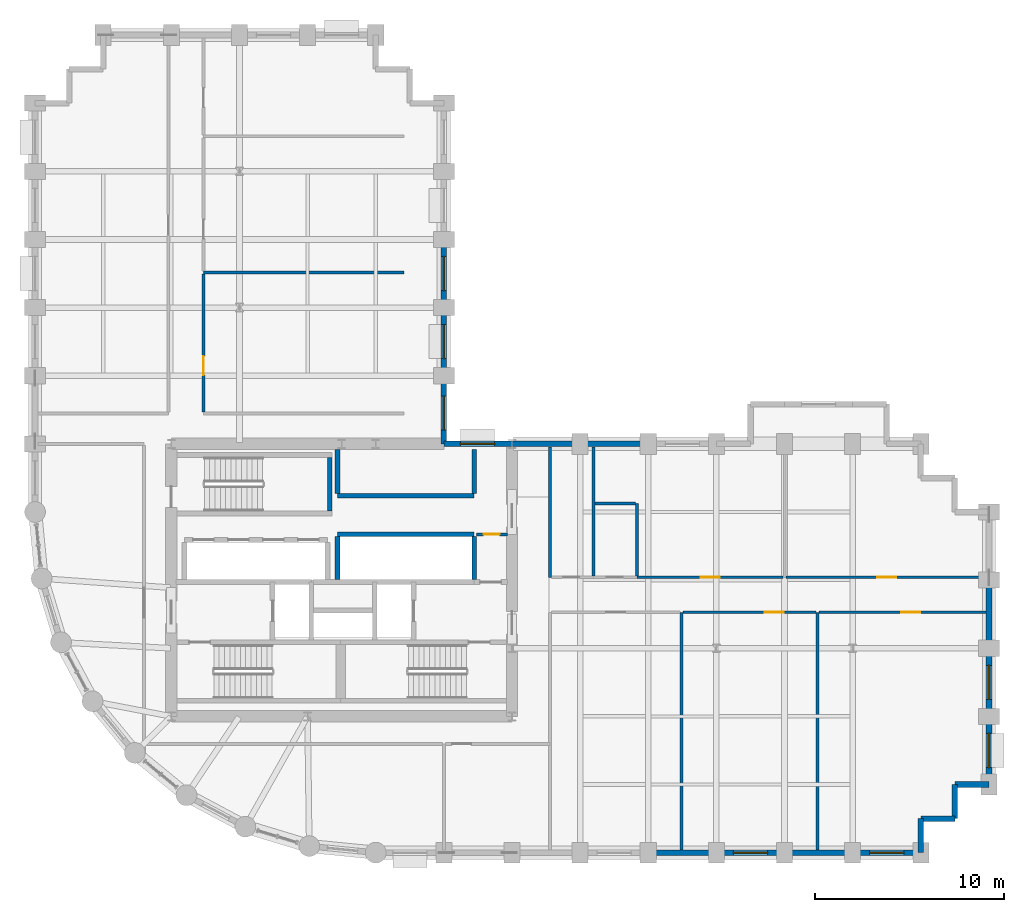
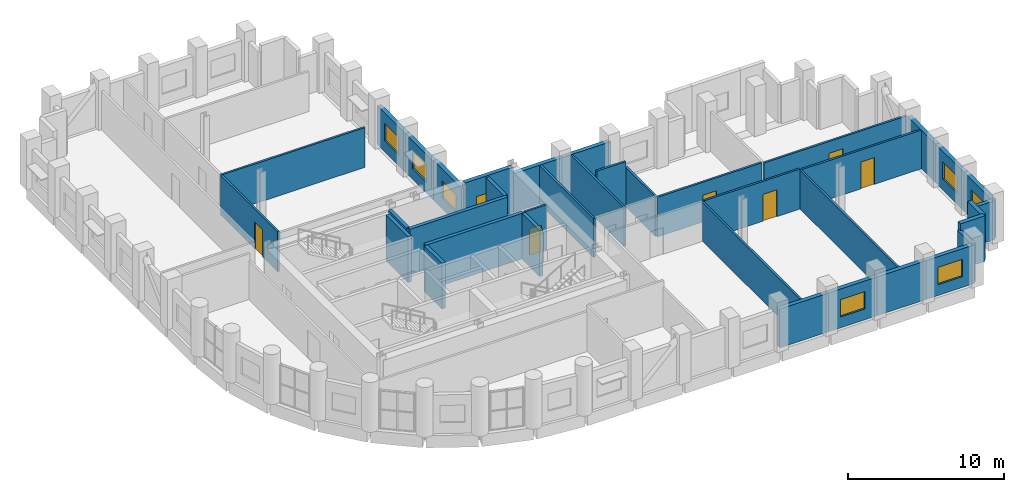
# One storey, part 9 of 13: 37 walls, 8 windows, 6 doors, 14 openings.
"""IFC4 building model written with IfcOpenShell, lengths in metres."""

from ifc_helpers import new_model, si_unit, direction, frame, frame_2d, origin, place, context, subcontext, project, spatial, rectangle, extrude, material, layer, layer_set, type_object, element, fill, save


model = new_model("IFC4")

# Units and contexts
model_context = context("Model", 3, precision=1e-05, world=origin(), true_north=direction((0.0, 1.0)))
body_context = subcontext(model_context, "Body", "Model", "MODEL_VIEW")
ifc_project = project(units=[si_unit("LENGTHUNIT", "METRE"), si_unit("AREAUNIT", "SQUARE_METRE"), si_unit("VOLUMEUNIT", "CUBIC_METRE"), si_unit("PLANEANGLEUNIT", "RADIAN"), si_unit("MASSUNIT", "GRAM", prefix="KILO")], contexts=[model_context])

# Site, building, storey
site_placement = place(None, origin())
site = spatial("IfcSite", under=ifc_project, at=site_placement, CompositionType="ELEMENT")
building_placement = place(site_placement, origin())
building = spatial("IfcBuilding", under=site, at=building_placement, Name="Solnavia Interchange Tower", CompositionType="ELEMENT")
storey_placement = place(building_placement, frame((0.0, 0.0, 111.300048828125)))
storey = spatial("IfcBuildingStorey", under=building, at=storey_placement, Name="L27", CompositionType="ELEMENT", Elevation=111.300048828125)

# Wall
ifc_material_1 = material(Name="Concrete C40/50", Category="concrete")
ifc_layer_1 = layer(ifc_material_1, 0.300048828125)
ifc_layer_set_1 = layer_set([ifc_layer_1], Name="Concrete C40/50")
wall_type_1 = type_object("IfcWallType", Name="Wall-ExtSpandrel-300", PredefinedType="STANDARD", material=ifc_layer_set_1)
wall_1_placement = place(storey_placement, frame((43.199951171875, 3.60009765625, 0.0), z_axis=(0.0, 0.0, 1.0), x_axis=(-1.0, 0.0, 0.0)))
element("IfcWall", 1, at=wall_1_placement, inside=storey, type_object=wall_type_1, Name="EXW-L27-05 Exterior precast spandrel wall", PredefinedType="STANDARD", context=body_context, shape_type="SweptSolid", body=[
    extrude(rectangle(XDim=3.599853515625, YDim=0.300048828125, at=frame_2d((1.7998046875, 0.0))), origin(), (0.0, 0.0, 1.0), 3.030029296875),
])

# Wall, opening, window
wall_2_placement = place(storey_placement, frame((46.800048828125, 3.60009765625, 0.0), z_axis=(0.0, 0.0, 1.0), x_axis=(-1.0, 0.0, 0.0)))
wall_2 = element("IfcWall", 2, at=wall_2_placement, inside=storey, type_object=wall_type_1, Name="EXW-L27-06 Exterior precast spandrel wall", PredefinedType="STANDARD", context=body_context, shape_type="SweptSolid", body=[
    extrude(rectangle(XDim=3.60009765625, YDim=0.300048828125, at=frame_2d((1.800048828125, 0.0))), origin(), (0.0, 0.0, 1.0), 3.030029296875),
])
opening_1_placement = place(wall_2_placement, frame((0.89990234375, 0.0, 0.85009765625)))
opening_1 = element("IfcOpeningElement", 3, at=opening_1_placement, cuts=wall_2, Name="Opening WIN-02", PredefinedType="OPENING", context=body_context, shape_type="SweptSolid", body=[
    extrude(rectangle(XDim=1.800048828125, YDim=1.35009765625, at=frame_2d((0.89990234375, 0.675048828125))), frame((0.0, 0.16015625, 0.0), z_axis=(0.0, -1.0, 0.0), x_axis=(1.0, 0.0, 0.0)), (0.0, 0.0, 1.0), 0.320068359375),
])
ifc_material_2 = material(Name="Thermal-Break Aluminium & Low-E Glass", Category="aluminium")
window_type = type_object("IfcWindowType", Name="Window-Ribbon-1800x1350", PartitioningType="SINGLE_PANEL", PredefinedType="WINDOW", material=ifc_material_2)
window_1_placement = place(opening_1_placement, origin())
window_1 = element("IfcWindow", 4, at=window_1_placement, inside=storey, type_object=window_type, Name="WIN-L27-06 Facade ribbon window", OverallHeight=1.35009765625, OverallWidth=1.800048828125, PartitioningType="SINGLE_PANEL", PredefinedType="WINDOW", context=body_context, shape_type="SweptSolid", body=[
    extrude(rectangle(XDim=1.800048828125, YDim=1.35009765625, at=frame_2d((0.89990234375, 0.675048828125))), frame((0.0, 0.030029296875, 0.0), z_axis=(0.0, -1.0, 0.0), x_axis=(1.0, 0.0, 0.0)), (0.0, 0.0, 1.0), 0.06005859375),
])
fill(opening_1, window_1)

# Wall
wall_3_placement = place(storey_placement, frame((50.39990234375, 3.60009765625, 0.0), z_axis=(0.0, 0.0, 1.0), x_axis=(-1.0, 0.0, 0.0)))
element("IfcWall", 5, at=wall_3_placement, inside=storey, type_object=wall_type_1, Name="EXW-L27-07 Exterior precast spandrel wall", PredefinedType="STANDARD", context=body_context, shape_type="SweptSolid", body=[
    extrude(rectangle(XDim=3.599853515625, YDim=0.300048828125, at=frame_2d((1.7998046875, 0.0))), origin(), (0.0, 0.0, 1.0), 3.030029296875),
])

# Wall, opening, window
wall_4_placement = place(storey_placement, frame((54.0, 3.60009765625, 0.0), z_axis=(0.0, 0.0, 1.0), x_axis=(-1.0, 0.0, 0.0)))
wall_4 = element("IfcWall", 6, at=wall_4_placement, inside=storey, type_object=wall_type_1, Name="EXW-L27-08 Exterior precast spandrel wall", PredefinedType="STANDARD", context=body_context, shape_type="SweptSolid", body=[
    extrude(rectangle(XDim=3.60009765625, YDim=0.300048828125, at=frame_2d((1.800048828125, 0.0))), origin(), (0.0, 0.0, 1.0), 3.030029296875),
])
opening_2_placement = place(wall_4_placement, frame((0.89990234375, 0.0, 0.85009765625)))
opening_2 = element("IfcOpeningElement", 7, at=opening_2_placement, cuts=wall_4, Name="Opening WIN-02", PredefinedType="OPENING", context=body_context, shape_type="SweptSolid", body=[
    extrude(rectangle(XDim=1.800048828125, YDim=1.35009765625, at=frame_2d((0.89990234375, 0.675048828125))), frame((0.0, 0.16015625, 0.0), z_axis=(0.0, -1.0, 0.0), x_axis=(1.0, 0.0, 0.0)), (0.0, 0.0, 1.0), 0.320068359375),
])
window_2_placement = place(opening_2_placement, origin())
window_2 = element("IfcWindow", 8, at=window_2_placement, inside=storey, type_object=window_type, Name="WIN-L27-08 Facade ribbon window", OverallHeight=1.35009765625, OverallWidth=1.800048828125, PartitioningType="SINGLE_PANEL", PredefinedType="WINDOW", context=body_context, shape_type="SweptSolid", body=[
    extrude(rectangle(XDim=1.800048828125, YDim=1.35009765625, at=frame_2d((0.89990234375, 0.675048828125))), frame((0.0, 0.030029296875, 0.0), z_axis=(0.0, -1.0, 0.0), x_axis=(1.0, 0.0, 0.0)), (0.0, 0.0, 1.0), 0.06005859375),
])
fill(opening_2, window_2)

# Walls
wall_5_placement = place(storey_placement, frame((54.0, 5.39990234375, 0.0), z_axis=(0.0, 0.0, 1.0), x_axis=(0.0, -1.0, 0.0)))
element("IfcWall", 9, at=wall_5_placement, inside=storey, type_object=wall_type_1, Name="EXW-L27-09 Exterior precast spandrel wall", PredefinedType="STANDARD", context=body_context, shape_type="SweptSolid", body=[
    extrude(rectangle(XDim=1.7998046875, YDim=0.300048828125, at=frame_2d((0.89990234375, 0.0))), origin(), (0.0, 0.0, 1.0), 3.030029296875),
])
for number, where, z_axis, x_axis, name in (
    (10, (55.800048828125, 5.39990234375, 0.0), (0.0, 0.0, 1.0), (-1.0, 0.0, 0.0), "EXW-L27-10 Exterior precast spandrel wall"),
    (11, (55.800048828125, 7.199951171875, 0.0), (0.0, 0.0, 1.0), (0.0, -1.0, 0.0), "EXW-L27-11 Exterior precast spandrel wall"),
):
    element("IfcWall", number, at=place(storey_placement, frame(where, z_axis=z_axis, x_axis=x_axis)), inside=storey, type_object=wall_type_1, Name=name, PredefinedType="STANDARD", context=body_context, shape_type="SweptSolid", body=[
        extrude(rectangle(XDim=1.800048828125, YDim=0.300048828125, at=frame_2d((0.89990234375, 0.0))), origin(), (0.0, 0.0, 1.0), 3.56494140625),
    ])
wall_6_placement = place(storey_placement, frame((57.60009765625, 7.199951171875, 0.0), z_axis=(0.0, 0.0, 1.0), x_axis=(-1.0, 0.0, 0.0)))
element("IfcWall", 12, at=wall_6_placement, inside=storey, type_object=wall_type_1, Name="EXW-L27-12 Exterior precast spandrel wall", PredefinedType="STANDARD", context=body_context, shape_type="SweptSolid", body=[
    extrude(rectangle(XDim=1.800048828125, YDim=0.300048828125, at=frame_2d((0.89990234375, 0.0))), origin(), (0.0, 0.0, 1.0), 3.030029296875),
])

# Wall, opening, window
wall_7_placement = place(storey_placement, frame((57.60009765625, 10.800048828125, 0.0), z_axis=(0.0, 0.0, 1.0), x_axis=(0.0, -1.0, 0.0)))
wall_7 = element("IfcWall", 13, at=wall_7_placement, inside=storey, type_object=wall_type_1, Name="EXW-L27-13 Exterior precast spandrel wall", PredefinedType="STANDARD", context=body_context, shape_type="SweptSolid", body=[
    extrude(rectangle(XDim=3.60009765625, YDim=0.300048828125, at=frame_2d((1.800048828125, 0.0))), origin(), (0.0, 0.0, 1.0), 3.030029296875),
])
opening_3_placement = place(wall_7_placement, frame((0.89990234375, 0.0, 0.85009765625)))
opening_3 = element("IfcOpeningElement", 14, at=opening_3_placement, cuts=wall_7, Name="Opening WIN-02", PredefinedType="OPENING", context=body_context, shape_type="SweptSolid", body=[
    extrude(rectangle(XDim=1.800048828125, YDim=1.35009765625, at=frame_2d((0.89990234375, 0.675048828125))), frame((0.0, 0.16015625, 0.0), z_axis=(0.0, -1.0, 0.0), x_axis=(1.0, 0.0, 0.0)), (0.0, 0.0, 1.0), 0.320068359375),
])
window_3_placement = place(opening_3_placement, origin())
window_3 = element("IfcWindow", 15, at=window_3_placement, inside=storey, type_object=window_type, Name="WIN-L27-13 Facade ribbon window", OverallHeight=1.35009765625, OverallWidth=1.800048828125, PartitioningType="SINGLE_PANEL", PredefinedType="WINDOW", context=body_context, shape_type="SweptSolid", body=[
    extrude(rectangle(XDim=1.800048828125, YDim=1.35009765625, at=frame_2d((0.89990234375, 0.675048828125))), frame((0.0, 0.030029296875, 0.0), z_axis=(0.0, -1.0, 0.0), x_axis=(1.0, 0.0, 0.0)), (0.0, 0.0, 1.0), 0.06005859375),
])
fill(opening_3, window_3)

wall_8_placement = place(storey_placement, frame((57.60009765625, 14.39990234375, 0.0), z_axis=(0.0, 0.0, 1.0), x_axis=(0.0, -1.0, 0.0)))
wall_8 = element("IfcWall", 16, at=wall_8_placement, inside=storey, type_object=wall_type_1, Name="EXW-L27-14 Exterior precast spandrel wall", PredefinedType="STANDARD", context=body_context, shape_type="SweptSolid", body=[
    extrude(rectangle(XDim=3.599853515625, YDim=0.300048828125, at=frame_2d((1.7998046875, 0.0))), origin(), (0.0, 0.0, 1.0), 3.030029296875),
])
opening_4_placement = place(wall_8_placement, frame((0.89990234375, 0.0, 0.85009765625)))
opening_4 = element("IfcOpeningElement", 17, at=opening_4_placement, cuts=wall_8, Name="Opening WIN-02", PredefinedType="OPENING", context=body_context, shape_type="SweptSolid", body=[
    extrude(rectangle(XDim=1.800048828125, YDim=1.35009765625, at=frame_2d((0.89990234375, 0.675048828125))), frame((0.0, 0.16015625, 0.0), z_axis=(0.0, -1.0, 0.0), x_axis=(1.0, 0.0, 0.0)), (0.0, 0.0, 1.0), 0.320068359375),
])
window_4_placement = place(opening_4_placement, origin())
window_4 = element("IfcWindow", 18, at=window_4_placement, inside=storey, type_object=window_type, Name="WIN-L27-14 Facade ribbon window", OverallHeight=1.35009765625, OverallWidth=1.800048828125, PartitioningType="SINGLE_PANEL", PredefinedType="WINDOW", context=body_context, shape_type="SweptSolid", body=[
    extrude(rectangle(XDim=1.800048828125, YDim=1.35009765625, at=frame_2d((0.89990234375, 0.675048828125))), frame((0.0, 0.030029296875, 0.0), z_axis=(0.0, -1.0, 0.0), x_axis=(1.0, 0.0, 0.0)), (0.0, 0.0, 1.0), 0.06005859375),
])
fill(opening_4, window_4)

# Walls
for number, where, z_axis, x_axis, name in (
    (19, (57.60009765625, 18.0, 0.0), (0.0, 0.0, 1.0), (0.0, -1.0, 0.0), "EXW-L27-15 Exterior precast spandrel wall"),
    (20, (36.0, 25.199951171875, 0.0), (0.0, 0.0, 1.0), (1.0, 0.0, 0.0), "EXW-L27-29 Exterior precast spandrel wall"),
    (21, (32.39990234375, 25.199951171875, 0.0), (0.0, 0.0, 1.0), (1.0, 0.0, 0.0), "EXW-L27-30 Exterior precast spandrel wall"),
):
    element("IfcWall", number, at=place(storey_placement, frame(where, z_axis=z_axis, x_axis=x_axis)), inside=storey, type_object=wall_type_1, Name=name, PredefinedType="STANDARD", context=body_context, shape_type="SweptSolid", body=[
        extrude(rectangle(XDim=3.60009765625, YDim=0.300048828125, at=frame_2d((1.800048828125, 0.0))), origin(), (0.0, 0.0, 1.0), 3.030029296875),
    ])

# Wall, opening, window
wall_9_placement = place(storey_placement, frame((28.800048828125, 25.199951171875, 0.0), z_axis=(0.0, 0.0, 1.0), x_axis=(1.0, 0.0, 0.0)))
wall_9 = element("IfcWall", 22, at=wall_9_placement, inside=storey, type_object=wall_type_1, Name="EXW-L27-31 Exterior precast spandrel wall", PredefinedType="STANDARD", context=body_context, shape_type="SweptSolid", body=[
    extrude(rectangle(XDim=3.599853515625, YDim=0.300048828125, at=frame_2d((1.7998046875, 0.0))), origin(), (0.0, 0.0, 1.0), 3.56494140625),
])
opening_5_placement = place(wall_9_placement, frame((0.8779296875, 0.0, 0.85009765625)))
opening_5 = element("IfcOpeningElement", 23, at=opening_5_placement, cuts=wall_9, Name="Opening WIN-02", PredefinedType="OPENING", context=body_context, shape_type="SweptSolid", body=[
    extrude(rectangle(XDim=1.800048828125, YDim=1.35009765625, at=frame_2d((0.89990234375, 0.675048828125))), frame((0.0, 0.16015625, 0.0), z_axis=(0.0, -1.0, 0.0), x_axis=(1.0, 0.0, 0.0)), (0.0, 0.0, 1.0), 0.320068359375),
])
window_5_placement = place(opening_5_placement, origin())
window_5 = element("IfcWindow", 24, at=window_5_placement, inside=storey, type_object=window_type, Name="WIN-L27-31 Facade ribbon window", OverallHeight=1.35009765625, OverallWidth=1.800048828125, PartitioningType="SINGLE_PANEL", PredefinedType="WINDOW", context=body_context, shape_type="SweptSolid", body=[
    extrude(rectangle(XDim=1.800048828125, YDim=1.35009765625, at=frame_2d((0.89990234375, 0.675048828125))), frame((0.0, 0.030029296875, 0.0), z_axis=(0.0, -1.0, 0.0), x_axis=(1.0, 0.0, 0.0)), (0.0, 0.0, 1.0), 0.06005859375),
])
fill(opening_5, window_5)

wall_10_placement = place(storey_placement, frame((28.800048828125, 25.199951171875, 0.0), z_axis=(0.0, 0.0, 1.0), x_axis=(0.0, 1.0, 0.0)))
wall_10 = element("IfcWall", 25, at=wall_10_placement, inside=storey, type_object=wall_type_1, Name="EXW-L27-32 Exterior precast spandrel wall", PredefinedType="STANDARD", context=body_context, shape_type="SweptSolid", body=[
    extrude(rectangle(XDim=3.60009765625, YDim=0.300048828125, at=frame_2d((1.800048828125, 0.0))), origin(), (0.0, 0.0, 1.0), 3.119873046875),
])
opening_6_placement = place(wall_10_placement, frame((0.719970703125, 0.0, 0.85009765625)))
opening_6 = element("IfcOpeningElement", 26, at=opening_6_placement, cuts=wall_10, Name="Opening WIN-02", PredefinedType="OPENING", context=body_context, shape_type="SweptSolid", body=[
    extrude(rectangle(XDim=1.800048828125, YDim=1.35009765625, at=frame_2d((0.89990234375, 0.675048828125))), frame((0.0, 0.16015625, 0.0), z_axis=(0.0, -1.0, 0.0), x_axis=(1.0, 0.0, 0.0)), (0.0, 0.0, 1.0), 0.320068359375),
])
window_6_placement = place(opening_6_placement, origin())
window_6 = element("IfcWindow", 27, at=window_6_placement, inside=storey, type_object=window_type, Name="WIN-L27-32 Facade ribbon window", OverallHeight=1.35009765625, OverallWidth=1.800048828125, PartitioningType="SINGLE_PANEL", PredefinedType="WINDOW", context=body_context, shape_type="SweptSolid", body=[
    extrude(rectangle(XDim=1.800048828125, YDim=1.35009765625, at=frame_2d((0.89990234375, 0.675048828125))), frame((0.0, 0.030029296875, 0.0), z_axis=(0.0, -1.0, 0.0), x_axis=(1.0, 0.0, 0.0)), (0.0, 0.0, 1.0), 0.06005859375),
])
fill(opening_6, window_6)

wall_11_placement = place(storey_placement, frame((28.800048828125, 28.800048828125, 0.0), z_axis=(0.0, 0.0, 1.0), x_axis=(0.0, 1.0, 0.0)))
wall_11 = element("IfcWall", 28, at=wall_11_placement, inside=storey, type_object=wall_type_1, Name="EXW-L27-33 Exterior precast spandrel wall", PredefinedType="STANDARD", context=body_context, shape_type="SweptSolid", body=[
    extrude(rectangle(XDim=3.599853515625, YDim=0.300048828125, at=frame_2d((1.7998046875, 0.0))), origin(), (0.0, 0.0, 1.0), 3.030029296875),
])
opening_7_placement = place(wall_11_placement, frame((0.89990234375, 0.0, 0.85009765625)))
opening_7 = element("IfcOpeningElement", 29, at=opening_7_placement, cuts=wall_11, Name="Opening WIN-02", PredefinedType="OPENING", context=body_context, shape_type="SweptSolid", body=[
    extrude(rectangle(XDim=1.800048828125, YDim=1.35009765625, at=frame_2d((0.89990234375, 0.675048828125))), frame((0.0, 0.16015625, 0.0), z_axis=(0.0, -1.0, 0.0), x_axis=(1.0, 0.0, 0.0)), (0.0, 0.0, 1.0), 0.320068359375),
])
window_7_placement = place(opening_7_placement, origin())
window_7 = element("IfcWindow", 30, at=window_7_placement, inside=storey, type_object=window_type, Name="WIN-L27-33 Facade ribbon window", OverallHeight=1.35009765625, OverallWidth=1.800048828125, PartitioningType="SINGLE_PANEL", PredefinedType="WINDOW", context=body_context, shape_type="SweptSolid", body=[
    extrude(rectangle(XDim=1.800048828125, YDim=1.35009765625, at=frame_2d((0.89990234375, 0.675048828125))), frame((0.0, 0.030029296875, 0.0), z_axis=(0.0, -1.0, 0.0), x_axis=(1.0, 0.0, 0.0)), (0.0, 0.0, 1.0), 0.06005859375),
])
fill(opening_7, window_7)

wall_12_placement = place(storey_placement, frame((28.800048828125, 32.39990234375, 0.0), z_axis=(0.0, 0.0, 1.0), x_axis=(0.0, 1.0, 0.0)))
wall_12 = element("IfcWall", 31, at=wall_12_placement, inside=storey, type_object=wall_type_1, Name="EXW-L27-34 Exterior precast spandrel wall", PredefinedType="STANDARD", context=body_context, shape_type="SweptSolid", body=[
    extrude(rectangle(XDim=3.60009765625, YDim=0.300048828125, at=frame_2d((1.800048828125, 0.0))), origin(), (0.0, 0.0, 1.0), 3.030029296875),
])
opening_8_placement = place(wall_12_placement, frame((0.89990234375, 0.0, 0.85009765625)))
opening_8 = element("IfcOpeningElement", 32, at=opening_8_placement, cuts=wall_12, Name="Opening WIN-02", PredefinedType="OPENING", context=body_context, shape_type="SweptSolid", body=[
    extrude(rectangle(XDim=1.800048828125, YDim=1.35009765625, at=frame_2d((0.89990234375, 0.675048828125))), frame((0.0, 0.16015625, 0.0), z_axis=(0.0, -1.0, 0.0), x_axis=(1.0, 0.0, 0.0)), (0.0, 0.0, 1.0), 0.320068359375),
])
window_8_placement = place(opening_8_placement, origin())
window_8 = element("IfcWindow", 33, at=window_8_placement, inside=storey, type_object=window_type, Name="WIN-L27-34 Facade ribbon window", OverallHeight=1.35009765625, OverallWidth=1.800048828125, PartitioningType="SINGLE_PANEL", PredefinedType="WINDOW", context=body_context, shape_type="SweptSolid", body=[
    extrude(rectangle(XDim=1.800048828125, YDim=1.35009765625, at=frame_2d((0.89990234375, 0.675048828125))), frame((0.0, 0.030029296875, 0.0), z_axis=(0.0, -1.0, 0.0), x_axis=(1.0, 0.0, 0.0)), (0.0, 0.0, 1.0), 0.06005859375),
])
fill(opening_8, window_8)

# Wall, opening, door
ifc_material_3 = material(Name="Gypsum Plasterboard & Steel Stud", Category="steel")
ifc_layer_2 = layer(ifc_material_3, 0.14990234375)
ifc_layer_set_2 = layer_set([ifc_layer_2], Name="Gypsum Plasterboard & Steel Stud")
wall_type_2 = type_object("IfcWallType", Name="Wall-Partition-150", PredefinedType="PARTITIONING", material=ifc_layer_set_2)
wall_13_placement = place(storey_placement, frame((30.52001953125, 20.419921875, 0.0), z_axis=(0.0, 0.0, 1.0), x_axis=(1.0, 0.0, 0.0)))
wall_13 = element("IfcWall", 34, at=wall_13_placement, inside=storey, type_object=wall_type_2, Name="CSW-L27-SE-N Core shaft wall", PredefinedType="PARTITIONING", context=body_context, shape_type="SweptSolid", body=[
    extrude(rectangle(XDim=1.6298828125, YDim=0.14990234375, at=frame_2d((0.81494140625, 0.0))), origin(), (0.0, 0.0, 1.0), 3.56494140625),
])
opening_9_placement = place(wall_13_placement, frame((0.3798828125, 0.0, 0.0)))
opening_9 = element("IfcOpeningElement", 35, at=opening_9_placement, cuts=wall_13, Name="Opening DR-10", PredefinedType="OPENING", context=body_context, shape_type="SweptSolid", body=[
    extrude(rectangle(XDim=0.85009765625, YDim=2.10009765625, at=frame_2d((0.425048828125, 1.050048828125))), frame((0.0, 0.0849609375, 0.0), z_axis=(0.0, -1.0, 0.0), x_axis=(1.0, 0.0, 0.0)), (0.0, 0.0, 1.0), 0.169921875),
])
ifc_material_4 = material(Name="Moisture-Resistant Timber Door", Category="wood")
door_type_1 = type_object("IfcDoorType", Name="Door-Bathroom-850x2100", OperationType="SINGLE_SWING_RIGHT", PredefinedType="DOOR", material=ifc_material_4)
door_1_placement = place(opening_9_placement, origin())
door_1 = element("IfcDoor", 36, at=door_1_placement, inside=storey, type_object=door_type_1, Name="DR-L27-CSE1 Core fire door", OperationType="SINGLE_SWING_LEFT", OverallHeight=2.10009765625, OverallWidth=0.85009765625, PredefinedType="DOOR", context=body_context, shape_type="SweptSolid", body=[
    extrude(rectangle(XDim=0.85009765625, YDim=2.10009765625, at=frame_2d((0.425048828125, 1.050048828125))), frame((0.0, 0.02490234375, 0.0), z_axis=(0.0, -1.0, 0.0), x_axis=(1.0, 0.0, 0.0)), (0.0, 0.0, 1.0), 0.050048828125),
])
fill(opening_9, door_1)

# Walls
for number, where, z_axis, x_axis, name in (
    (37, (41.35009765625, 3.75390625, 0.0), (0.0, 0.0, 1.0), (0.0, 1.0, 0.0), "PTW-L27-13 Interior partition wall"),
    (38, (48.550048828125, 3.75390625, 0.0), (0.0, 0.0, 1.0), (0.0, 1.0, 0.0), "PTW-L27-15 Interior partition wall"),
):
    element("IfcWall", number, at=place(storey_placement, frame(where, z_axis=z_axis, x_axis=x_axis)), inside=storey, type_object=wall_type_2, Name=name, PredefinedType="PARTITIONING", context=body_context, shape_type="SweptSolid", body=[
        extrude(rectangle(XDim=12.546142578125, YDim=0.14990234375, at=frame_2d((6.27294921875, 0.0))), origin(), (0.0, 0.0, 1.0), 3.030029296875),
    ])

# Wall, opening, door
wall_14_placement = place(storey_placement, frame((41.428955078125, 16.300048828125, 0.0), z_axis=(0.0, 0.0, 1.0), x_axis=(1.0, 0.0, 0.0)))
wall_14 = element("IfcWall", 39, at=wall_14_placement, inside=storey, type_object=wall_type_2, Name="PTW-L27-16 Interior partition wall", PredefinedType="PARTITIONING", context=body_context, shape_type="SweptSolid", body=[
    extrude(rectangle(XDim=7.0419921875, YDim=0.14990234375, at=frame_2d((3.52099609375, 0.0))), origin(), (0.0, 0.0, 1.0), 3.119873046875),
])
opening_10_placement = place(wall_14_placement, frame((4.3310546875, 0.0, 0.0)))
opening_10 = element("IfcOpeningElement", 40, at=opening_10_placement, cuts=wall_14, Name="Opening DR-07", PredefinedType="OPENING", context=body_context, shape_type="SweptSolid", body=[
    extrude(rectangle(XDim=1.0, YDim=2.10009765625, at=frame_2d((0.5, 1.050048828125))), frame((0.0, 0.0849609375, 0.0), z_axis=(0.0, -1.0, 0.0), x_axis=(1.0, 0.0, 0.0)), (0.0, 0.0, 1.0), 0.169921875),
])
ifc_material_5 = material(Name="Timber & Acoustic Glazed Office Door", Category="wood")
door_type_2 = type_object("IfcDoorType", Name="Door-Office-1000x2100", OperationType="SINGLE_SWING_RIGHT", PredefinedType="DOOR", material=ifc_material_5)
door_2_placement = place(opening_10_placement, origin())
door_2 = element("IfcDoor", 41, at=door_2_placement, inside=storey, type_object=door_type_2, Name="DR-L27-06 Interior room door", OperationType="SINGLE_SWING_RIGHT", OverallHeight=2.10009765625, OverallWidth=1.0, PredefinedType="DOOR", context=body_context, shape_type="SweptSolid", body=[
    extrude(rectangle(XDim=1.0, YDim=2.10009765625, at=frame_2d((0.5, 1.050048828125))), frame((0.0, 0.02490234375, 0.0), z_axis=(0.0, -1.0, 0.0), x_axis=(1.0, 0.0, 0.0)), (0.0, 0.0, 1.0), 0.050048828125),
])
fill(opening_10, door_2)

wall_15_placement = place(storey_placement, frame((48.62890625, 16.300048828125, 0.0), z_axis=(0.0, 0.0, 1.0), x_axis=(1.0, 0.0, 0.0)))
wall_15 = element("IfcWall", 42, at=wall_15_placement, inside=storey, type_object=wall_type_2, Name="PTW-L27-17 Interior partition wall", PredefinedType="PARTITIONING", context=body_context, shape_type="SweptSolid", body=[
    extrude(rectangle(XDim=8.817138671875, YDim=0.14990234375, at=frame_2d((4.40869140625, 0.0))), origin(), (0.0, 0.0, 1.0), 3.030029296875),
])
opening_11_placement = place(wall_15_placement, frame((4.343994140625, 0.0, 0.0)))
opening_11 = element("IfcOpeningElement", 43, at=opening_11_placement, cuts=wall_15, Name="Opening DR-07", PredefinedType="OPENING", context=body_context, shape_type="SweptSolid", body=[
    extrude(rectangle(XDim=1.0, YDim=2.10009765625, at=frame_2d((0.5, 1.050048828125))), frame((0.0, 0.0849609375, 0.0), z_axis=(0.0, -1.0, 0.0), x_axis=(1.0, 0.0, 0.0)), (0.0, 0.0, 1.0), 0.169921875),
])
door_3_placement = place(opening_11_placement, origin())
door_3 = element("IfcDoor", 44, at=door_3_placement, inside=storey, type_object=door_type_2, Name="DR-L27-07 Interior room door", OperationType="SINGLE_SWING_LEFT", OverallHeight=2.10009765625, OverallWidth=1.0, PredefinedType="DOOR", context=body_context, shape_type="SweptSolid", body=[
    extrude(rectangle(XDim=1.0, YDim=2.10009765625, at=frame_2d((0.5, 1.050048828125))), frame((0.0, 0.02490234375, 0.0), z_axis=(0.0, -1.0, 0.0), x_axis=(1.0, 0.0, 0.0)), (0.0, 0.0, 1.0), 0.050048828125),
])
fill(opening_11, door_3)

wall_16_placement = place(storey_placement, frame((39.0, 18.14990234375, 0.0), z_axis=(0.0, 0.0, 1.0), x_axis=(1.0, 0.0, 0.0)))
wall_16 = element("IfcWall", 45, at=wall_16_placement, inside=storey, type_object=wall_type_2, Name="PTW-L27-19 Interior partition wall", PredefinedType="PARTITIONING", context=body_context, shape_type="SweptSolid", body=[
    extrude(rectangle(XDim=7.73095703125, YDim=0.14990234375, at=frame_2d((3.865478515625, 0.0))), origin(), (0.0, 0.0, 1.0), 3.10986328125),
])
opening_12_placement = place(wall_16_placement, frame((3.364990234375, 0.0, 0.0)))
opening_12 = element("IfcOpeningElement", 46, at=opening_12_placement, cuts=wall_16, Name="Opening DR-07", PredefinedType="OPENING", context=body_context, shape_type="SweptSolid", body=[
    extrude(rectangle(XDim=1.0, YDim=2.10009765625, at=frame_2d((0.5, 1.050048828125))), frame((0.0, 0.0849609375, 0.0), z_axis=(0.0, -1.0, 0.0), x_axis=(1.0, 0.0, 0.0)), (0.0, 0.0, 1.0), 0.169921875),
])
door_4_placement = place(opening_12_placement, origin())
door_4 = element("IfcDoor", 47, at=door_4_placement, inside=storey, type_object=door_type_2, Name="DR-L27-08 Interior room door", OperationType="SINGLE_SWING_RIGHT", OverallHeight=2.10009765625, OverallWidth=1.0, PredefinedType="DOOR", context=body_context, shape_type="SweptSolid", body=[
    extrude(rectangle(XDim=1.0, YDim=2.10009765625, at=frame_2d((0.5, 1.050048828125))), frame((0.0, 0.02490234375, 0.0), z_axis=(0.0, -1.0, 0.0), x_axis=(1.0, 0.0, 0.0)), (0.0, 0.0, 1.0), 0.050048828125),
])
fill(opening_12, door_4)

wall_17_placement = place(storey_placement, frame((46.888916015625, 18.14990234375, 0.0), z_axis=(0.0, 0.0, 1.0), x_axis=(1.0, 0.0, 0.0)))
wall_17 = element("IfcWall", 48, at=wall_17_placement, inside=storey, type_object=wall_type_2, Name="PTW-L27-20 Interior partition wall", PredefinedType="PARTITIONING", context=body_context, shape_type="SweptSolid", body=[
    extrude(rectangle(XDim=10.55712890625, YDim=0.14990234375, at=frame_2d((5.278564453125, 0.0))), origin(), (0.0, 0.0, 1.0), 3.030029296875),
])
opening_13_placement = place(wall_17_placement, frame((4.81591796875, 0.0, 0.0)))
opening_13 = element("IfcOpeningElement", 49, at=opening_13_placement, cuts=wall_17, Name="Opening DR-07", PredefinedType="OPENING", context=body_context, shape_type="SweptSolid", body=[
    extrude(rectangle(XDim=1.0, YDim=2.10009765625, at=frame_2d((0.5, 1.050048828125))), frame((0.0, 0.0849609375, 0.0), z_axis=(0.0, -1.0, 0.0), x_axis=(1.0, 0.0, 0.0)), (0.0, 0.0, 1.0), 0.169921875),
])
door_5_placement = place(opening_13_placement, origin())
door_5 = element("IfcDoor", 50, at=door_5_placement, inside=storey, type_object=door_type_2, Name="DR-L27-09 Interior room door", OperationType="SINGLE_SWING_RIGHT", OverallHeight=2.10009765625, OverallWidth=1.0, PredefinedType="DOOR", context=body_context, shape_type="SweptSolid", body=[
    extrude(rectangle(XDim=1.0, YDim=2.10009765625, at=frame_2d((0.5, 1.050048828125))), frame((0.0, 0.02490234375, 0.0), z_axis=(0.0, -1.0, 0.0), x_axis=(1.0, 0.0, 0.0)), (0.0, 0.0, 1.0), 0.050048828125),
])
fill(opening_13, door_5)

# Wall
wall_18_placement = place(storey_placement, frame((16.10009765625, 34.25, 0.0), z_axis=(0.0, 0.0, 1.0), x_axis=(1.0, 0.0, 0.0)))
element("IfcWall", 51, at=wall_18_placement, inside=storey, type_object=wall_type_2, Name="PTW-L27-24 Interior partition wall", PredefinedType="PARTITIONING", context=body_context, shape_type="SweptSolid", body=[
    extrude(rectangle(XDim=10.599853515625, YDim=0.14990234375, at=frame_2d((5.2998046875, 0.0))), origin(), (0.0, 0.0, 1.0), 3.10986328125),
])

# Wall, opening, door
wall_19_placement = place(storey_placement, frame((16.10009765625, 26.87890625, 0.0), z_axis=(0.0, 0.0, 1.0), x_axis=(0.0, 1.0, 0.0)))
wall_19 = element("IfcWall", 52, at=wall_19_placement, inside=storey, type_object=wall_type_2, Name="PTW-L27-25 Interior partition wall", PredefinedType="PARTITIONING", context=body_context, shape_type="SweptSolid", body=[
    extrude(rectangle(XDim=7.2919921875, YDim=0.14990234375, at=frame_2d((3.64599609375, 0.0))), origin(), (0.0, 0.0, 1.0), 3.119873046875),
])
opening_14_placement = place(wall_19_placement, frame((1.951904296875, 0.0, 0.0)))
opening_14 = element("IfcOpeningElement", 53, at=opening_14_placement, cuts=wall_19, Name="Opening DR-07", PredefinedType="OPENING", context=body_context, shape_type="SweptSolid", body=[
    extrude(rectangle(XDim=1.0, YDim=2.10009765625, at=frame_2d((0.5, 1.050048828125))), frame((0.0, 0.0849609375, 0.0), z_axis=(0.0, -1.0, 0.0), x_axis=(1.0, 0.0, 0.0)), (0.0, 0.0, 1.0), 0.169921875),
])
door_6_placement = place(opening_14_placement, origin())
door_6 = element("IfcDoor", 54, at=door_6_placement, inside=storey, type_object=door_type_2, Name="DR-L27-11 Interior room door", OperationType="SINGLE_SWING_LEFT", OverallHeight=2.10009765625, OverallWidth=1.0, PredefinedType="DOOR", context=body_context, shape_type="SweptSolid", body=[
    extrude(rectangle(XDim=1.0, YDim=2.10009765625, at=frame_2d((0.5, 1.050048828125))), frame((0.0, 0.02490234375, 0.0), z_axis=(0.0, -1.0, 0.0), x_axis=(1.0, 0.0, 0.0)), (0.0, 0.0, 1.0), 0.050048828125),
])
fill(opening_14, door_6)

# Walls
ifc_layer_3 = layer(ifc_material_1, 0.25)
ifc_layer_set_3 = layer_set([ifc_layer_3], Name="Concrete C40/50")
wall_type_3 = type_object("IfcWallType", Name="Wall-ShaftCore-250", PredefinedType="SHEAR", material=ifc_layer_set_3)
wall_20_placement = place(storey_placement, frame((22.77490234375, 21.64990234375, 0.0), z_axis=(0.0, 0.0, 1.0), x_axis=(0.0, 1.0, 0.0)))
element("IfcWall", 55, at=wall_20_placement, inside=storey, type_object=wall_type_3, Name="SHW-L27-ST3E Core shear wall", PredefinedType="SHEAR", context=body_context, shape_type="SweptSolid", body=[
    extrude(rectangle(XDim=2.840087890625, YDim=0.25, at=frame_2d((1.419921875, 0.0))), origin(), (0.0, 0.0, 1.0), 3.579833984375),
])
ifc_layer_4 = layer(ifc_material_1, 0.25)
ifc_layer_set_4 = layer_set([ifc_layer_4], Name="Concrete C40/50")
wall_type_4 = type_object("IfcWallType", Name="Wall-ShaftPart-250", PredefinedType="PARTITIONING", material=ifc_layer_set_4)
wall_21_placement = place(storey_placement, frame((23.179931640625, 20.419921875, 0.0), z_axis=(0.0, 0.0, 1.0), x_axis=(1.0, 0.0, 0.0)))
element("IfcWall", 56, at=wall_21_placement, inside=storey, type_object=wall_type_4, Name="SHW-L27-B2N Core shaft wall", PredefinedType="PARTITIONING", context=body_context, shape_type="SweptSolid", body=[
    extrude(rectangle(XDim=7.219970703125, YDim=0.25, at=frame_2d((3.60986328125, 0.0))), origin(), (0.0, 0.0, 1.0), 3.56494140625),
])
for number, where, z_axis, x_axis, name in (
    (57, (23.179931640625, 18.02490234375, 0.0), (0.0, 0.0, 1.0), (0.0, 1.0, 0.0), "SHW-L27-B2W Core shaft wall"),
    (58, (30.39990234375, 18.02490234375, 0.0), (0.0, 0.0, 1.0), (0.0, 1.0, 0.0), "SHW-L27-B2E Core shaft wall"),
):
    element("IfcWall", number, at=place(storey_placement, frame(where, z_axis=z_axis, x_axis=x_axis)), inside=storey, type_object=wall_type_4, Name=name, PredefinedType="PARTITIONING", context=body_context, shape_type="SweptSolid", body=[
        extrude(rectangle(XDim=2.27001953125, YDim=0.25, at=frame_2d((1.135009765625, 0.0))), origin(), (0.0, 0.0, 1.0), 3.56494140625),
    ])
wall_22_placement = place(storey_placement, frame((23.179931640625, 22.4599609375, 0.0), z_axis=(0.0, 0.0, 1.0), x_axis=(1.0, 0.0, 0.0)))
element("IfcWall", 59, at=wall_22_placement, inside=storey, type_object=wall_type_4, Name="SHW-L27-B3S Core shaft wall", PredefinedType="PARTITIONING", context=body_context, shape_type="SweptSolid", body=[
    extrude(rectangle(XDim=7.219970703125, YDim=0.25, at=frame_2d((3.60986328125, 0.0))), origin(), (0.0, 0.0, 1.0), 3.56494140625),
])
for number, where, z_axis, x_axis, name in (
    (60, (23.179931640625, 22.5849609375, 0.0), (0.0, 0.0, 1.0), (0.0, 1.0, 0.0), "SHW-L27-B3W Core shaft wall"),
    (61, (30.39990234375, 22.5849609375, 0.0), (0.0, 0.0, 1.0), (0.0, 1.0, 0.0), "SHW-L27-B3E Core shaft wall"),
):
    element("IfcWall", number, at=place(storey_placement, frame(where, z_axis=z_axis, x_axis=x_axis)), inside=storey, type_object=wall_type_4, Name=name, PredefinedType="PARTITIONING", context=body_context, shape_type="SweptSolid", body=[
        extrude(rectangle(XDim=2.31494140625, YDim=0.25, at=frame_2d((1.157470703125, 0.0))), origin(), (0.0, 0.0, 1.0), 3.56494140625),
    ])
ifc_material_6 = material(Name="Moisture-Resistant Gypsum & Steel Stud", Category="steel")
ifc_layer_5 = layer(ifc_material_6, 0.14990234375)
ifc_layer_set_5 = layer_set([ifc_layer_5], Name="Moisture-Resistant Gypsum & Steel Stud")
wall_type_5 = type_object("IfcWallType", Name="Wall-WetRoom-150", PredefinedType="PARTITIONING", material=ifc_layer_set_5)
wall_23_placement = place(storey_placement, frame((34.39990234375, 18.14990234375, 0.0), z_axis=(0.0, 0.0, 1.0), x_axis=(0.0, 1.0, 0.0)))
element("IfcWall", 62, at=wall_23_placement, inside=storey, type_object=wall_type_5, Name="PTW-L27-01 Interior partition wall", PredefinedType="PARTITIONING", context=body_context, shape_type="SweptSolid", body=[
    extrude(rectangle(XDim=6.89599609375, YDim=0.14990234375, at=frame_2d((3.447998046875, 0.0))), origin(), (0.0, 0.0, 1.0), 3.030029296875),
])
wall_24_placement = place(storey_placement, frame((36.699951171875, 18.22900390625, 0.0), z_axis=(0.0, 0.0, 1.0), x_axis=(0.0, 1.0, 0.0)))
element("IfcWall", 63, at=wall_24_placement, inside=storey, type_object=wall_type_5, Name="PTW-L27-03 Interior partition wall", PredefinedType="PARTITIONING", context=body_context, shape_type="SweptSolid", body=[
    extrude(rectangle(XDim=6.81689453125, YDim=0.14990234375, at=frame_2d((3.408447265625, 0.0))), origin(), (0.0, 0.0, 1.0), 3.030029296875),
])
wall_25_placement = place(storey_placement, frame((39.0, 18.22900390625, 0.0), z_axis=(0.0, 0.0, 1.0), x_axis=(0.0, 1.0, 0.0)))
element("IfcWall", 64, at=wall_25_placement, inside=storey, type_object=wall_type_5, Name="PTW-L27-05 Interior partition wall", PredefinedType="PARTITIONING", context=body_context, shape_type="SweptSolid", body=[
    extrude(rectangle(XDim=3.821044921875, YDim=0.14990234375, at=frame_2d((1.91064453125, 0.0))), origin(), (0.0, 0.0, 1.0), 3.10986328125),
])
wall_26_placement = place(storey_placement, frame((36.779052734375, 22.050048828125, 0.0), z_axis=(0.0, 0.0, 1.0), x_axis=(1.0, 0.0, 0.0)))
element("IfcWall", 65, at=wall_26_placement, inside=storey, type_object=wall_type_5, Name="PTW-L27-06 Interior partition wall", PredefinedType="PARTITIONING", context=body_context, shape_type="SweptSolid", body=[
    extrude(rectangle(XDim=2.141845703125, YDim=0.14990234375, at=frame_2d((1.07080078125, 0.0))), origin(), (0.0, 0.0, 1.0), 3.56494140625),
])

save(model, "model.ifc")
